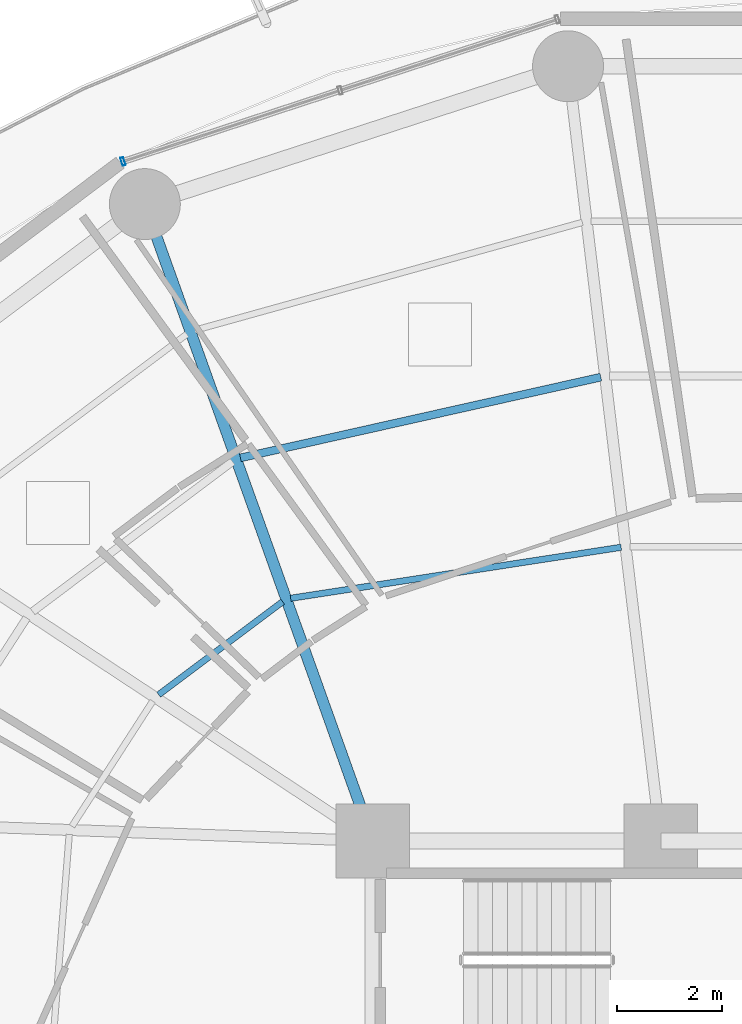
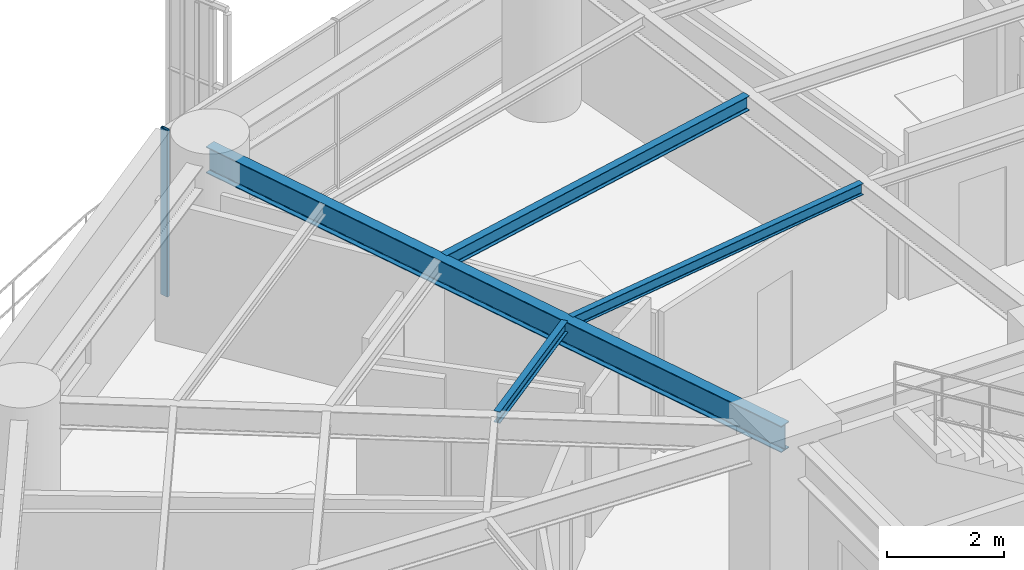
# One storey, part 19 of 35: 4 beams, 1 member, 1 element without a shape of its own.
"""IFC4 building model written with IfcOpenShell, lengths in metres."""

from ifc_helpers import new_model, si_unit, direction, frame, origin, origin_2d, place, context, subcontext, project, spatial, hollow_rectangle, i_section, extrude, material, layer, layer_set, material_profile, profile_set, type_object, element, aggregate, save


model = new_model("IFC4")

# Units and contexts
model_context = context("Model", 3, precision=1e-05, world=origin(), true_north=direction((0.0, 1.0)))
body_context = subcontext(model_context, "Body", "Model", "MODEL_VIEW")
ifc_project = project(units=[si_unit("LENGTHUNIT", "METRE"), si_unit("AREAUNIT", "SQUARE_METRE"), si_unit("VOLUMEUNIT", "CUBIC_METRE"), si_unit("PLANEANGLEUNIT", "RADIAN"), si_unit("MASSUNIT", "GRAM", prefix="KILO")], contexts=[model_context])

# Site, building, storey
site_placement = place(None, origin())
site = spatial("IfcSite", under=ifc_project, at=site_placement, CompositionType="ELEMENT")
building_placement = place(site_placement, origin())
building = spatial("IfcBuilding", under=site, at=building_placement, Name="Kelanora Arch Commons", CompositionType="ELEMENT")
storey_placement = place(building_placement, frame((0.0, 0.0, 91.35009765625)))
storey = spatial("IfcBuildingStorey", under=building, at=storey_placement, Name="L23", CompositionType="ELEMENT", Elevation=91.35009765625)

# Beams
ifc_material_1 = material(Name="Steel S355", Category="steel")
ifc_material_profile_1 = material_profile(ifc_material_1, i_section(OverallWidth=0.14990234375, OverallDepth=0.300048828125, WebThickness=0.007080078125, FlangeThickness=0.0107421875, FilletRadius=0.014892578125, at=origin_2d()), Name="IPE300")
ifc_profile_set_1 = profile_set([ifc_material_profile_1], Name="Steel S355")
beam_type_1 = type_object("IfcBeamType", Name="BM-JST-01", PredefinedType="JOIST", material=ifc_profile_set_1)
beam_1_placement = place(storey_placement, frame((70.337646484375, 73.828125, 3.33984375), z_axis=(-0.975817048791, -0.218588854449, 0.0), x_axis=(0.218588854449, -0.975817048791, 0.0)))
element("IfcBeam", 1, at=beam_1_placement, inside=storey, type_object=beam_type_1, Name="Secondary Chord Joist BJB-10 L23", PredefinedType="JOIST", context=body_context, shape_type="SweptSolid", body=[
    extrude(i_section(OverallWidth=0.14990234375, OverallDepth=0.300048828125, WebThickness=0.007080078125, FlangeThickness=0.0107421875, FilletRadius=0.014892578125, at=origin_2d()), origin(), (0.0, 0.0, 1.0), 7.028564453125),
])
ifc_material_profile_2 = material_profile(ifc_material_1, i_section(OverallWidth=0.1201171875, OverallDepth=0.239990234375, WebThickness=0.006103515625, FlangeThickness=0.009765625, FilletRadius=0.014892578125, at=origin_2d()), Name="IPE240")
ifc_profile_set_2 = profile_set([ifc_material_profile_2], Name="Steel S355")
beam_type_2 = type_object("IfcBeamType", Name="BM-JST-02", PredefinedType="JOIST", material=ifc_profile_set_2)
beam_2_placement = place(storey_placement, frame((70.72509765625, 70.590087890625, 3.369873046875), z_axis=(-0.988295745497, -0.152550055496, 0.0), x_axis=(0.152550055496, -0.988295745497, 0.0)))
element("IfcBeam", 2, at=beam_2_placement, inside=storey, type_object=beam_type_2, Name="Secondary Chord Joist BJA-10 L23", PredefinedType="JOIST", context=body_context, shape_type="SweptSolid", body=[
    extrude(i_section(OverallWidth=0.1201171875, OverallDepth=0.239990234375, WebThickness=0.006103515625, FlangeThickness=0.009765625, FilletRadius=0.014892578125, at=origin_2d()), origin(), (0.0, 0.0, 1.0), 6.36474609375),
])
beam_3_placement = place(storey_placement, frame((64.28271484375, 69.555419921875, 3.369873046875), z_axis=(-0.799692034361, -0.600410401458, 0.0), x_axis=(0.600410401458, -0.799692034361, 0.0)))
element("IfcBeam", 3, at=beam_3_placement, inside=storey, type_object=beam_type_2, Name="Secondary Chord Joist BJA-12 L23", PredefinedType="JOIST", context=body_context, shape_type="SweptSolid", body=[
    extrude(i_section(OverallWidth=0.1201171875, OverallDepth=0.239990234375, WebThickness=0.006103515625, FlangeThickness=0.009765625, FilletRadius=0.014892578125, at=origin_2d()), origin(), (0.0, 0.0, 1.0), 2.949951171875),
])
ifc_material_profile_3 = material_profile(ifc_material_1, i_section(OverallWidth=0.2099609375, OverallDepth=0.550048828125, WebThickness=0.010986328125, FlangeThickness=0.01708984375, FilletRadius=0.02392578125, at=origin_2d()), Name="IPE550")
ifc_profile_set_3 = profile_set([ifc_material_profile_3], Name="Steel S355")
beam_type_3 = type_object("IfcBeamType", Name="BM-RAD-Z2", PredefinedType="BEAM", material=ifc_profile_set_3)
beam_4_placement = place(storey_placement, frame((66.0, 65.0, 3.21484375), z_axis=(-0.337084640008, 0.941474346687, 0.0), x_axis=(-0.941474346687, -0.337084640008, 0.0)))
element("IfcBeam", 4, at=beam_4_placement, inside=storey, type_object=beam_type_3, Name="Radial Floor Girder BR-12 L23", PredefinedType="BEAM", context=body_context, shape_type="SweptSolid", body=[
    extrude(i_section(OverallWidth=0.2099609375, OverallDepth=0.550048828125, WebThickness=0.010986328125, FlangeThickness=0.01708984375, FilletRadius=0.02392578125, at=origin_2d()), origin(), (0.0, 0.0, 1.0), 12.875244140625),
])

# Curtain wall, member
ifc_material_2 = material(Name="Terracotta ceramic-fritted low-E glass and aluminium", Category="masonry")
ifc_layer = layer(ifc_material_2, 0.159912109375)
ifc_layer_set = layer_set([ifc_layer], Name="Terracotta ceramic-fritted low-E glass and aluminium")
curtain_wall_type = type_object("IfcCurtainWallType", Name="CW-SYS-01", PredefinedType="NOTDEFINED", material=ifc_layer_set)
curtain_wall_placement = place(storey_placement, origin())
curtain_wall = element("IfcCurtainWall", 5, at=curtain_wall_placement, inside=storey, type_object=curtain_wall_type, Name="Unitised Curtain Wall L23-B05", PredefinedType="NOTDEFINED")
ifc_material_3 = material(Name="Powder-coated aluminium terracotta", Category="masonry")
ifc_material_profile_4 = material_profile(ifc_material_3, hollow_rectangle(XDim=0.159912109375, YDim=0.06005859375, WallThickness=0.0048828125, InnerFilletRadius=0.0048828125, OuterFilletRadius=0.010009765625, at=origin_2d()), Name="CWM160x60")
ifc_profile_set_4 = profile_set([ifc_material_profile_4], Name="Powder-coated aluminium terracotta")
member_type = type_object("IfcMemberType", Name="CWM-STD", PredefinedType="MULLION", material=ifc_profile_set_4)
member_placement = place(storey_placement, frame((61.242919921875, 77.9326171875, 0.0), z_axis=(0.0, 0.0, 1.0), x_axis=(0.31080470294, -0.950473795867, 0.0)))
member = element("IfcMember", 6, at=member_placement, type_object=member_type, Name="CW-01 mullion 3", PredefinedType="MULLION", context=body_context, shape_type="SweptSolid", body=[
    extrude(hollow_rectangle(XDim=0.159912109375, YDim=0.06005859375, WallThickness=0.0048828125, InnerFilletRadius=0.0048828125, OuterFilletRadius=0.010009765625, at=origin_2d()), origin(), (0.0, 0.0, 1.0), 3.474853515625),
])
aggregate(curtain_wall, [member])

save(model, "model.ifc")
